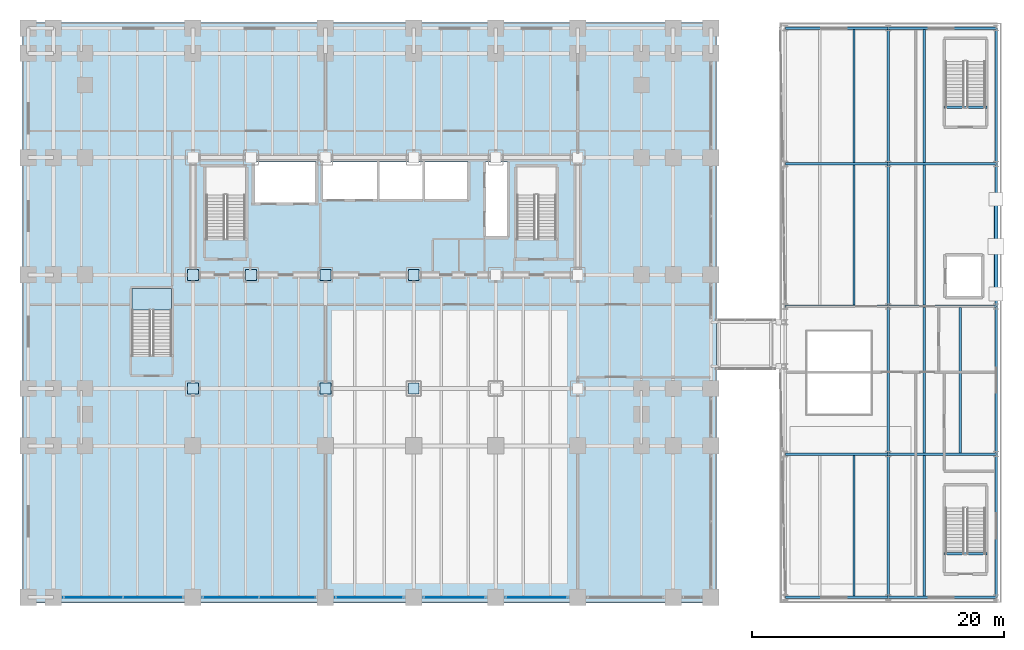
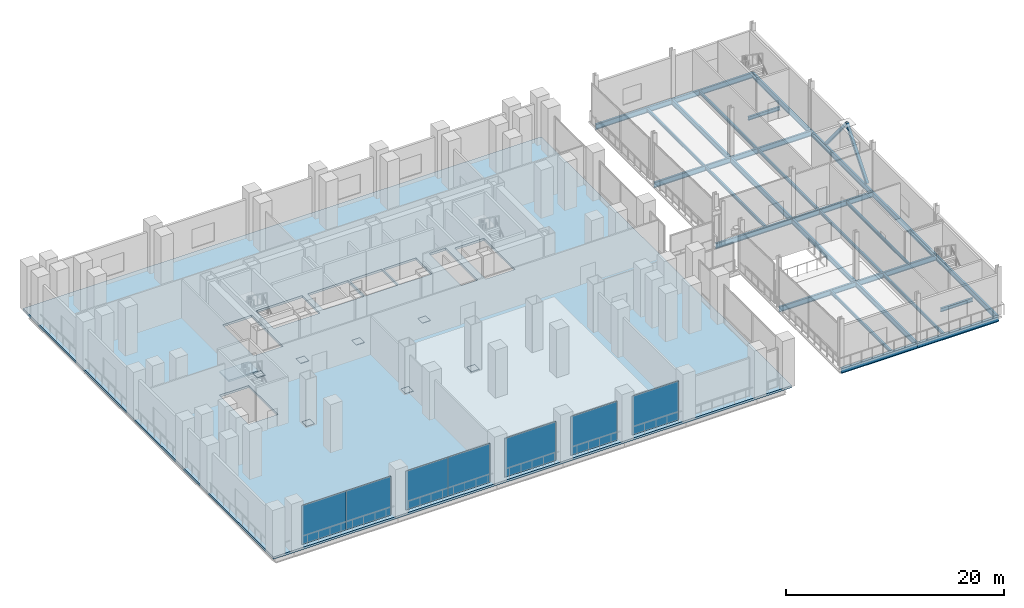
# One storey, part 20 of 31: 28 beams, 14 plates, 2 members, 2 slabs, 8 openings, 6 elements without a shape of their own.
"""IFC4 building model written with IfcOpenShell, lengths in metres."""

from ifc_helpers import new_model, si_unit, direction, frame, origin, origin_2d, place, context, subcontext, project, spatial, polyline, rectangle, hollow_rectangle, i_section, outline, extrude, material, layer, layer_set, material_profile, profile_set, type_object, element, aggregate, save


model = new_model("IFC4")

# Units and contexts
model_context = context("Model", 3, precision=1e-05, world=origin(), true_north=direction((0.0, 1.0)))
body_context = subcontext(model_context, "Body", "Model", "MODEL_VIEW")
ifc_project = project(units=[si_unit("LENGTHUNIT", "METRE"), si_unit("AREAUNIT", "SQUARE_METRE"), si_unit("VOLUMEUNIT", "CUBIC_METRE"), si_unit("PLANEANGLEUNIT", "RADIAN"), si_unit("MASSUNIT", "GRAM", prefix="KILO")], contexts=[model_context])

# Site, building, storey
site_placement = place(None, origin())
site = spatial("IfcSite", under=ifc_project, at=site_placement, CompositionType="ELEMENT")
building_placement = place(site_placement, origin())
building = spatial("IfcBuilding", under=site, at=building_placement, Name="Noeulbin Bourse Tower", CompositionType="ELEMENT")
storey_placement = place(building_placement, frame((0.0, 0.0, 11.199951171875)))
storey = spatial("IfcBuildingStorey", under=building, at=storey_placement, Name="L03", CompositionType="ELEMENT", Elevation=11.199951171875)

# Beams
ifc_material_1 = material(Name="Steel S355", Category="steel")
ifc_material_profile_1 = material_profile(ifc_material_1, i_section(OverallWidth=0.199951171875, OverallDepth=0.60009765625, WebThickness=0.010986328125, FlangeThickness=0.01708984375, FilletRadius=0.02197265625, at=origin_2d()), Name="H-600x200x11x17", Category="LoadBearing")
ifc_profile_set_1 = profile_set([ifc_material_profile_1], Name="Steel S355")
beam_type_1 = type_object("IfcBeamType", Name="BM-GRD-600", PredefinedType="USERDEFINED", material=ifc_profile_set_1)
beam_1_placement = place(storey_placement, frame((60.449951171875, 3.449951171875, -0.52001953125), z_axis=(1.0, 0.0, 0.0), x_axis=(0.0, 1.0, 0.0)))
element("IfcBeam", 1, at=beam_1_placement, inside=storey, type_object=beam_type_1, Name="Market Hall Girder EW L03-01", ObjectType="GIRDER", PredefinedType="USERDEFINED", context=body_context, shape_type="SweptSolid", body=[
    extrude(i_section(OverallWidth=0.199951171875, OverallDepth=0.60009765625, WebThickness=0.010986328125, FlangeThickness=0.01708984375, FilletRadius=0.02197265625, at=origin_2d()), origin(), (0.0, 0.0, 1.0), 8.150146484375),
])
beam_2_placement = place(storey_placement, frame((68.60009765625, 3.449951171875, -0.52001953125), z_axis=(1.0, 0.0, 0.0), x_axis=(0.0, 1.0, 0.0)))
element("IfcBeam", 2, at=beam_2_placement, inside=storey, type_object=beam_type_1, Name="Market Hall Girder EW L03-02", ObjectType="GIRDER", PredefinedType="USERDEFINED", context=body_context, shape_type="SweptSolid", body=[
    extrude(i_section(OverallWidth=0.199951171875, OverallDepth=0.60009765625, WebThickness=0.010986328125, FlangeThickness=0.01708984375, FilletRadius=0.02197265625, at=origin_2d()), origin(), (0.0, 0.0, 1.0), 8.5498046875),
])
beam_3_placement = place(storey_placement, frame((60.449951171875, 14.800048828125, -0.52001953125), z_axis=(1.0, 0.0, 0.0), x_axis=(0.0, 1.0, 0.0)))
element("IfcBeam", 3, at=beam_3_placement, inside=storey, type_object=beam_type_1, Name="Market Hall Girder EW L03-03", ObjectType="GIRDER", PredefinedType="USERDEFINED", context=body_context, shape_type="SweptSolid", body=[
    extrude(i_section(OverallWidth=0.199951171875, OverallDepth=0.60009765625, WebThickness=0.010986328125, FlangeThickness=0.01708984375, FilletRadius=0.02197265625, at=origin_2d()), origin(), (0.0, 0.0, 1.0), 8.150146484375),
])
beam_4_placement = place(storey_placement, frame((68.60009765625, 14.800048828125, -0.52001953125), z_axis=(1.0, 0.0, 0.0), x_axis=(0.0, 1.0, 0.0)))
element("IfcBeam", 4, at=beam_4_placement, inside=storey, type_object=beam_type_1, Name="Market Hall Girder EW L03-04", ObjectType="GIRDER", PredefinedType="USERDEFINED", context=body_context, shape_type="SweptSolid", body=[
    extrude(i_section(OverallWidth=0.199951171875, OverallDepth=0.60009765625, WebThickness=0.010986328125, FlangeThickness=0.01708984375, FilletRadius=0.02197265625, at=origin_2d()), origin(), (0.0, 0.0, 1.0), 8.5498046875),
])
beam_5_placement = place(storey_placement, frame((60.449951171875, 26.5, -0.52001953125), z_axis=(1.0, 0.0, 0.0), x_axis=(0.0, 1.0, 0.0)))
element("IfcBeam", 5, at=beam_5_placement, inside=storey, type_object=beam_type_1, Name="Market Hall Girder EW L03-05", ObjectType="GIRDER", PredefinedType="USERDEFINED", context=body_context, shape_type="SweptSolid", body=[
    extrude(i_section(OverallWidth=0.199951171875, OverallDepth=0.60009765625, WebThickness=0.010986328125, FlangeThickness=0.01708984375, FilletRadius=0.02197265625, at=origin_2d()), origin(), (0.0, 0.0, 1.0), 8.150146484375),
])
beam_6_placement = place(storey_placement, frame((68.60009765625, 26.5, -0.52001953125), z_axis=(1.0, 0.0, 0.0), x_axis=(0.0, 1.0, 0.0)))
element("IfcBeam", 6, at=beam_6_placement, inside=storey, type_object=beam_type_1, Name="Market Hall Girder EW L03-06", ObjectType="GIRDER", PredefinedType="USERDEFINED", context=body_context, shape_type="SweptSolid", body=[
    extrude(i_section(OverallWidth=0.199951171875, OverallDepth=0.60009765625, WebThickness=0.010986328125, FlangeThickness=0.01708984375, FilletRadius=0.02197265625, at=origin_2d()), origin(), (0.0, 0.0, 1.0), 8.5498046875),
])
beam_7_placement = place(storey_placement, frame((60.449951171875, 37.800048828125, -0.52001953125), z_axis=(1.0, 0.0, 0.0), x_axis=(0.0, 1.0, 0.0)))
element("IfcBeam", 7, at=beam_7_placement, inside=storey, type_object=beam_type_1, Name="Market Hall Girder EW L03-07", ObjectType="GIRDER", PredefinedType="USERDEFINED", context=body_context, shape_type="SweptSolid", body=[
    extrude(i_section(OverallWidth=0.199951171875, OverallDepth=0.60009765625, WebThickness=0.010986328125, FlangeThickness=0.01708984375, FilletRadius=0.02197265625, at=origin_2d()), origin(), (0.0, 0.0, 1.0), 8.150146484375),
])
beam_8_placement = place(storey_placement, frame((68.60009765625, 37.800048828125, -0.52001953125), z_axis=(1.0, 0.0, 0.0), x_axis=(0.0, 1.0, 0.0)))
element("IfcBeam", 8, at=beam_8_placement, inside=storey, type_object=beam_type_1, Name="Market Hall Girder EW L03-08", ObjectType="GIRDER", PredefinedType="USERDEFINED", context=body_context, shape_type="SweptSolid", body=[
    extrude(i_section(OverallWidth=0.199951171875, OverallDepth=0.60009765625, WebThickness=0.010986328125, FlangeThickness=0.01708984375, FilletRadius=0.02197265625, at=origin_2d()), origin(), (0.0, 0.0, 1.0), 8.5498046875),
])
beam_9_placement = place(storey_placement, frame((60.449951171875, 48.550048828125, -0.52001953125), z_axis=(1.0, 0.0, 0.0), x_axis=(0.0, 1.0, 0.0)))
element("IfcBeam", 9, at=beam_9_placement, inside=storey, type_object=beam_type_1, Name="Market Hall Girder EW L03-09", ObjectType="GIRDER", PredefinedType="USERDEFINED", context=body_context, shape_type="SweptSolid", body=[
    extrude(i_section(OverallWidth=0.199951171875, OverallDepth=0.60009765625, WebThickness=0.010986328125, FlangeThickness=0.01708984375, FilletRadius=0.02197265625, at=origin_2d()), origin(), (0.0, 0.0, 1.0), 8.150146484375),
])
beam_10_placement = place(storey_placement, frame((68.60009765625, 48.550048828125, -0.52001953125), z_axis=(1.0, 0.0, 0.0), x_axis=(0.0, 1.0, 0.0)))
element("IfcBeam", 10, at=beam_10_placement, inside=storey, type_object=beam_type_1, Name="Market Hall Girder EW L03-10", ObjectType="GIRDER", PredefinedType="USERDEFINED", context=body_context, shape_type="SweptSolid", body=[
    extrude(i_section(OverallWidth=0.199951171875, OverallDepth=0.60009765625, WebThickness=0.010986328125, FlangeThickness=0.01708984375, FilletRadius=0.02197265625, at=origin_2d()), origin(), (0.0, 0.0, 1.0), 8.5498046875),
])
beam_11_placement = place(storey_placement, frame((68.60009765625, 3.449951171875, -0.52001953125), z_axis=(0.0, 1.0, 0.0), x_axis=(-1.0, 0.0, 0.0)))
element("IfcBeam", 11, at=beam_11_placement, inside=storey, type_object=beam_type_1, Name="Market Hall Girder NS L03-15", ObjectType="GIRDER", PredefinedType="USERDEFINED", context=body_context, shape_type="SweptSolid", body=[
    extrude(i_section(OverallWidth=0.199951171875, OverallDepth=0.60009765625, WebThickness=0.010986328125, FlangeThickness=0.01708984375, FilletRadius=0.02197265625, at=origin_2d()), origin(), (0.0, 0.0, 1.0), 11.35009765625),
])
beam_12_placement = place(storey_placement, frame((68.60009765625, 14.800048828125, -0.52001953125), z_axis=(0.0, 1.0, 0.0), x_axis=(-1.0, 0.0, 0.0)))
element("IfcBeam", 12, at=beam_12_placement, inside=storey, type_object=beam_type_1, Name="Market Hall Girder NS L03-16", ObjectType="GIRDER", PredefinedType="USERDEFINED", context=body_context, shape_type="SweptSolid", body=[
    extrude(i_section(OverallWidth=0.199951171875, OverallDepth=0.60009765625, WebThickness=0.010986328125, FlangeThickness=0.01708984375, FilletRadius=0.02197265625, at=origin_2d()), origin(), (0.0, 0.0, 1.0), 11.699951171875),
])
beam_13_placement = place(storey_placement, frame((68.60009765625, 26.5, -0.52001953125), z_axis=(0.0, 1.0, 0.0), x_axis=(-1.0, 0.0, 0.0)))
element("IfcBeam", 13, at=beam_13_placement, inside=storey, type_object=beam_type_1, Name="Market Hall Girder NS L03-17", ObjectType="GIRDER", PredefinedType="USERDEFINED", context=body_context, shape_type="SweptSolid", body=[
    extrude(i_section(OverallWidth=0.199951171875, OverallDepth=0.60009765625, WebThickness=0.010986328125, FlangeThickness=0.01708984375, FilletRadius=0.02197265625, at=origin_2d()), origin(), (0.0, 0.0, 1.0), 11.300048828125),
])
beam_14_placement = place(storey_placement, frame((68.60009765625, 37.800048828125, -0.52001953125), z_axis=(0.0, 1.0, 0.0), x_axis=(-1.0, 0.0, 0.0)))
element("IfcBeam", 14, at=beam_14_placement, inside=storey, type_object=beam_type_1, Name="Market Hall Girder NS L03-18", ObjectType="GIRDER", PredefinedType="USERDEFINED", context=body_context, shape_type="SweptSolid", body=[
    extrude(i_section(OverallWidth=0.199951171875, OverallDepth=0.60009765625, WebThickness=0.010986328125, FlangeThickness=0.01708984375, FilletRadius=0.02197265625, at=origin_2d()), origin(), (0.0, 0.0, 1.0), 10.75),
])
beam_15_placement = place(storey_placement, frame((77.14990234375, 3.449951171875, -0.52001953125), z_axis=(0.0, 1.0, 0.0), x_axis=(-1.0, 0.0, 0.0)))
element("IfcBeam", 15, at=beam_15_placement, inside=storey, type_object=beam_type_1, Name="Market Hall Girder NS L03-19", ObjectType="GIRDER", PredefinedType="USERDEFINED", context=body_context, shape_type="SweptSolid", body=[
    extrude(i_section(OverallWidth=0.199951171875, OverallDepth=0.60009765625, WebThickness=0.010986328125, FlangeThickness=0.01708984375, FilletRadius=0.02197265625, at=origin_2d()), origin(), (0.0, 0.0, 1.0), 11.35009765625),
])
beam_16_placement = place(storey_placement, frame((77.14990234375, 14.800048828125, -0.52001953125), z_axis=(0.0, 1.0, 0.0), x_axis=(-1.0, 0.0, 0.0)))
element("IfcBeam", 16, at=beam_16_placement, inside=storey, type_object=beam_type_1, Name="Market Hall Girder NS L03-20", ObjectType="GIRDER", PredefinedType="USERDEFINED", context=body_context, shape_type="SweptSolid", body=[
    extrude(i_section(OverallWidth=0.199951171875, OverallDepth=0.60009765625, WebThickness=0.010986328125, FlangeThickness=0.01708984375, FilletRadius=0.02197265625, at=origin_2d()), origin(), (0.0, 0.0, 1.0), 11.699951171875),
])
beam_17_placement = place(storey_placement, frame((77.14990234375, 26.5, -0.52001953125), z_axis=(0.0, 1.0, 0.0), x_axis=(-1.0, 0.0, 0.0)))
element("IfcBeam", 17, at=beam_17_placement, inside=storey, type_object=beam_type_1, Name="Market Hall Girder NS L03-21", ObjectType="GIRDER", PredefinedType="USERDEFINED", context=body_context, shape_type="SweptSolid", body=[
    extrude(i_section(OverallWidth=0.199951171875, OverallDepth=0.60009765625, WebThickness=0.010986328125, FlangeThickness=0.01708984375, FilletRadius=0.02197265625, at=origin_2d()), origin(), (0.0, 0.0, 1.0), 11.300048828125),
])
beam_18_placement = place(storey_placement, frame((77.14990234375, 37.800048828125, -0.52001953125), z_axis=(0.0, 1.0, 0.0), x_axis=(-1.0, 0.0, 0.0)))
element("IfcBeam", 18, at=beam_18_placement, inside=storey, type_object=beam_type_1, Name="Market Hall Girder NS L03-22", ObjectType="GIRDER", PredefinedType="USERDEFINED", context=body_context, shape_type="SweptSolid", body=[
    extrude(i_section(OverallWidth=0.199951171875, OverallDepth=0.60009765625, WebThickness=0.010986328125, FlangeThickness=0.01708984375, FilletRadius=0.02197265625, at=origin_2d()), origin(), (0.0, 0.0, 1.0), 10.75),
])
ifc_material_profile_2 = material_profile(ifc_material_1, i_section(OverallWidth=0.175048828125, OverallDepth=0.35009765625, WebThickness=0.007080078125, FlangeThickness=0.010986328125, FilletRadius=0.013916015625, at=origin_2d()), Name="H-350x175x7x11", Category="LoadBearing")
ifc_profile_set_2 = profile_set([ifc_material_profile_2], Name="Steel S355")
beam_type_2 = type_object("IfcBeamType", Name="BM-JST-350", PredefinedType="JOIST", material=ifc_profile_set_2)
beam_19_placement = place(storey_placement, frame((65.88330078125, 3.550048828125, -0.39501953125), z_axis=(0.0, 1.0, 0.0), x_axis=(-1.0, 0.0, 0.0)))
element("IfcBeam", 19, at=beam_19_placement, inside=storey, type_object=beam_type_2, Name="Market Hall Secondary Joist L03-04", PredefinedType="JOIST", context=body_context, shape_type="SweptSolid", body=[
    extrude(i_section(OverallWidth=0.175048828125, OverallDepth=0.35009765625, WebThickness=0.007080078125, FlangeThickness=0.010986328125, FilletRadius=0.013916015625, at=origin_2d()), origin(), (0.0, 0.0, 1.0), 11.14990234375),
])
beam_20_placement = place(storey_placement, frame((65.88330078125, 26.60009765625, -0.39501953125), z_axis=(0.0, 1.0, 0.0), x_axis=(-1.0, 0.0, 0.0)))
element("IfcBeam", 20, at=beam_20_placement, inside=storey, type_object=beam_type_2, Name="Market Hall Secondary Joist L03-05", PredefinedType="JOIST", context=body_context, shape_type="SweptSolid", body=[
    extrude(i_section(OverallWidth=0.175048828125, OverallDepth=0.35009765625, WebThickness=0.007080078125, FlangeThickness=0.010986328125, FilletRadius=0.013916015625, at=origin_2d()), origin(), (0.0, 0.0, 1.0), 11.099853515625),
])
beam_21_placement = place(storey_placement, frame((65.88330078125, 37.89990234375, -0.39501953125), z_axis=(0.0, 1.0, 0.0), x_axis=(-1.0, 0.0, 0.0)))
element("IfcBeam", 21, at=beam_21_placement, inside=storey, type_object=beam_type_2, Name="Market Hall Secondary Joist L03-06", PredefinedType="JOIST", context=body_context, shape_type="SweptSolid", body=[
    extrude(i_section(OverallWidth=0.175048828125, OverallDepth=0.35009765625, WebThickness=0.007080078125, FlangeThickness=0.010986328125, FilletRadius=0.013916015625, at=origin_2d()), origin(), (0.0, 0.0, 1.0), 10.550048828125),
])
beam_22_placement = place(storey_placement, frame((71.449951171875, 3.550048828125, -0.39501953125), z_axis=(0.0, 1.0, 0.0), x_axis=(-1.0, 0.0, 0.0)))
element("IfcBeam", 22, at=beam_22_placement, inside=storey, type_object=beam_type_2, Name="Market Hall Secondary Joist L03-07", PredefinedType="JOIST", context=body_context, shape_type="SweptSolid", body=[
    extrude(i_section(OverallWidth=0.175048828125, OverallDepth=0.35009765625, WebThickness=0.007080078125, FlangeThickness=0.010986328125, FilletRadius=0.013916015625, at=origin_2d()), origin(), (0.0, 0.0, 1.0), 11.14990234375),
])
beam_23_placement = place(storey_placement, frame((71.449951171875, 14.89990234375, -0.39501953125), z_axis=(0.0, 1.0, 0.0), x_axis=(-1.0, 0.0, 0.0)))
element("IfcBeam", 23, at=beam_23_placement, inside=storey, type_object=beam_type_2, Name="Market Hall Secondary Joist L03-08", PredefinedType="JOIST", context=body_context, shape_type="SweptSolid", body=[
    extrude(i_section(OverallWidth=0.175048828125, OverallDepth=0.35009765625, WebThickness=0.007080078125, FlangeThickness=0.010986328125, FilletRadius=0.013916015625, at=origin_2d()), origin(), (0.0, 0.0, 1.0), 11.5),
])
beam_24_placement = place(storey_placement, frame((71.449951171875, 26.60009765625, -0.39501953125), z_axis=(0.0, 1.0, 0.0), x_axis=(-1.0, 0.0, 0.0)))
element("IfcBeam", 24, at=beam_24_placement, inside=storey, type_object=beam_type_2, Name="Market Hall Secondary Joist L03-09", PredefinedType="JOIST", context=body_context, shape_type="SweptSolid", body=[
    extrude(i_section(OverallWidth=0.175048828125, OverallDepth=0.35009765625, WebThickness=0.007080078125, FlangeThickness=0.010986328125, FilletRadius=0.013916015625, at=origin_2d()), origin(), (0.0, 0.0, 1.0), 11.099853515625),
])
beam_25_placement = place(storey_placement, frame((71.449951171875, 37.89990234375, -0.39501953125), z_axis=(0.0, 1.0, 0.0), x_axis=(-1.0, 0.0, 0.0)))
element("IfcBeam", 25, at=beam_25_placement, inside=storey, type_object=beam_type_2, Name="Market Hall Secondary Joist L03-10", PredefinedType="JOIST", context=body_context, shape_type="SweptSolid", body=[
    extrude(i_section(OverallWidth=0.175048828125, OverallDepth=0.35009765625, WebThickness=0.007080078125, FlangeThickness=0.010986328125, FilletRadius=0.013916015625, at=origin_2d()), origin(), (0.0, 0.0, 1.0), 10.550048828125),
])
beam_26_placement = place(storey_placement, frame((74.300048828125, 14.89990234375, -0.39501953125), z_axis=(0.0, 1.0, 0.0), x_axis=(-1.0, 0.0, 0.0)))
element("IfcBeam", 26, at=beam_26_placement, inside=storey, type_object=beam_type_2, Name="Market Hall Secondary Joist L03-11", PredefinedType="JOIST", context=body_context, shape_type="SweptSolid", body=[
    extrude(i_section(OverallWidth=0.175048828125, OverallDepth=0.35009765625, WebThickness=0.007080078125, FlangeThickness=0.010986328125, FilletRadius=0.013916015625, at=origin_2d()), origin(), (0.0, 0.0, 1.0), 11.5),
])
ifc_material_profile_3 = material_profile(ifc_material_1, i_section(OverallWidth=0.199951171875, OverallDepth=0.39990234375, WebThickness=0.008056640625, FlangeThickness=0.012939453125, FilletRadius=0.01611328125, at=origin_2d()), Name="H-400x200x8x13", Category="LoadBearing")
ifc_profile_set_3 = profile_set([ifc_material_profile_3], Name="Steel S355")
beam_type_3 = type_object("IfcBeamType", Name="BM-SEC-400", PredefinedType="BEAM", material=ifc_profile_set_3)
for number, where, z_axis, x_axis, name in (
    (27, (73.02001953125, 6.889892578125, -0.199951171875), (1.0, 0.0, 0.0), (0.0, 1.0, 0.0), "Stair Threshold Trimmer Beam MST1-L03"),
    (28, (73.02001953125, 42.2900390625, -0.199951171875), (1.0, 0.0, 0.0), (0.0, 1.0, 0.0), "Stair Threshold Trimmer Beam MST2-L03"),
):
    element("IfcBeam", number, at=place(storey_placement, frame(where, z_axis=z_axis, x_axis=x_axis)), inside=storey, type_object=beam_type_3, Name=name, PredefinedType="BEAM", context=body_context, shape_type="SweptSolid", body=[
        extrude(i_section(OverallWidth=0.199951171875, OverallDepth=0.39990234375, WebThickness=0.008056640625, FlangeThickness=0.012939453125, FilletRadius=0.01611328125, at=origin_2d()), origin(), (0.0, 0.0, 1.0), 3.39990234375),
    ])

# Members
ifc_material_profile_4 = material_profile(ifc_material_1, hollow_rectangle(XDim=0.300048828125, YDim=0.300048828125, WallThickness=0.011962890625, InnerFilletRadius=0.011962890625, OuterFilletRadius=0.02392578125, at=origin_2d()), Name="SHS-300x300x12", Category="LoadBearing")
ifc_profile_set_4 = profile_set([ifc_material_profile_4], Name="Steel S355")
member_type = type_object("IfcMemberType", Name="MEM-MKT-300", PredefinedType="BRACE", material=ifc_profile_set_4)
for number, where, z_axis, x_axis, name in (
    (29, (77.14990234375, 27.5, 0.010009765625), (0.0, 0.638506468811, 0.769616455961), (-1.0, 0.0, 0.0), "Market Hall Braced Frame Diagonal MB-L03-1"),
    (30, (77.14990234375, 31.25, 4.530029296875), (0.0, 0.638506468811, -0.769616455961), (-1.0, 0.0, 0.0), "Market Hall Braced Frame Diagonal MB-L03-2"),
):
    element("IfcMember", number, at=place(storey_placement, frame(where, z_axis=z_axis, x_axis=x_axis)), inside=storey, type_object=member_type, Name=name, PredefinedType="BRACE", context=body_context, shape_type="SweptSolid", body=[
        extrude(hollow_rectangle(XDim=0.300048828125, YDim=0.300048828125, WallThickness=0.011962890625, InnerFilletRadius=0.011962890625, OuterFilletRadius=0.02392578125, at=origin_2d()), origin(), (0.0, 0.0, 1.0), 5.873046875),
    ])

# Curtain wall, plates
ifc_material_2 = material(Name="Laminated Clear Low-E Glass", Category="glass")
curtain_wall_type = type_object("IfcCurtainWallType", Name="CW-SYS-1", PredefinedType="NOTDEFINED", material=ifc_material_2)
curtain_wall_1_placement = place(storey_placement, origin())
curtain_wall_1 = element("IfcCurtainWall", 31, at=curtain_wall_1_placement, inside=storey, type_object=curtain_wall_type, Name="Unitised Curtain Wall CW-L03-POD-S-S1", PredefinedType="NOTDEFINED")
ifc_layer_1 = layer(ifc_material_2, 0.035888671875)
ifc_layer_set_1 = layer_set([ifc_layer_1], Name="Laminated Clear Low-E Glass")
plate_type_1 = type_object("IfcPlateType", Name="CW-SYS-1-PNL", PredefinedType="CURTAIN_PANEL", material=ifc_layer_set_1)
plate_1_placement = place(storey_placement, frame((5.60498046875, 3.449951171875, 0.0), z_axis=(0.0, 0.0, 1.0), x_axis=(1.0, 0.0, 0.0)))
plate_1 = element("IfcPlate", 32, at=plate_1_placement, type_object=plate_type_1, Name="Glazed Curtain Panel CW-L03-POD-S-S1-P00", PredefinedType="CURTAIN_PANEL", context=body_context, shape_type="SweptSolid", body=[
    extrude(rectangle(XDim=4.739990234375, YDim=0.035888671875, at=origin_2d()), origin(), (0.0, 0.0, 1.0), 4.3701171875),
])
plate_2_placement = place(storey_placement, frame((10.344970703125, 3.449951171875, 0.0), z_axis=(0.0, 0.0, 1.0), x_axis=(1.0, 0.0, 0.0)))
plate_2 = element("IfcPlate", 33, at=plate_2_placement, type_object=plate_type_1, Name="Glazed Curtain Panel CW-L03-POD-S-S1-P01", PredefinedType="CURTAIN_PANEL", context=body_context, shape_type="SweptSolid", body=[
    extrude(rectangle(XDim=4.739990234375, YDim=0.035888671875, at=origin_2d()), origin(), (0.0, 0.0, 1.0), 4.3701171875),
])
aggregate(curtain_wall_1, [plate_1, plate_2])

curtain_wall_2_placement = place(storey_placement, origin())
curtain_wall_2 = element("IfcCurtainWall", 34, at=curtain_wall_2_placement, inside=storey, type_object=curtain_wall_type, Name="Unitised Curtain Wall CW-L03-POD-S-S2", PredefinedType="NOTDEFINED")
plate_3_placement = place(storey_placement, frame((16.517578125, 3.449951171875, 0.0), z_axis=(0.0, 0.0, 1.0), x_axis=(1.0, 0.0, 0.0)))
plate_3 = element("IfcPlate", 35, at=plate_3_placement, type_object=plate_type_1, Name="Glazed Curtain Panel CW-L03-POD-S-S2-P00", PredefinedType="CURTAIN_PANEL", context=body_context, shape_type="SweptSolid", body=[
    extrude(rectangle(XDim=4.465087890625, YDim=0.035888671875, at=origin_2d()), origin(), (0.0, 0.0, 1.0), 4.3701171875),
])
plate_4_placement = place(storey_placement, frame((20.982421875, 3.449951171875, 0.0), z_axis=(0.0, 0.0, 1.0), x_axis=(1.0, 0.0, 0.0)))
plate_4 = element("IfcPlate", 36, at=plate_4_placement, type_object=plate_type_1, Name="Glazed Curtain Panel CW-L03-POD-S-S2-P01", PredefinedType="CURTAIN_PANEL", context=body_context, shape_type="SweptSolid", body=[
    extrude(rectangle(XDim=4.465087890625, YDim=0.035888671875, at=origin_2d()), origin(), (0.0, 0.0, 1.0), 4.3701171875),
])
aggregate(curtain_wall_2, [plate_3, plate_4])

# Curtain wall, plate
curtain_wall_3_placement = place(storey_placement, origin())
curtain_wall_3 = element("IfcCurtainWall", 37, at=curtain_wall_3_placement, inside=storey, type_object=curtain_wall_type, Name="Unitised Curtain Wall CW-L03-POD-S-S3", PredefinedType="NOTDEFINED")
plate_5_placement = place(storey_placement, frame((27.5, 3.449951171875, 0.0), z_axis=(0.0, 0.0, 1.0), x_axis=(1.0, 0.0, 0.0)))
plate_5 = element("IfcPlate", 38, at=plate_5_placement, type_object=plate_type_1, Name="Glazed Curtain Panel CW-L03-POD-S-S3-P00", PredefinedType="CURTAIN_PANEL", context=body_context, shape_type="SweptSolid", body=[
    extrude(rectangle(XDim=5.429931640625, YDim=0.035888671875, at=origin_2d()), origin(), (0.0, 0.0, 1.0), 4.3701171875),
])
aggregate(curtain_wall_3, [plate_5])

curtain_wall_4_placement = place(storey_placement, origin())
curtain_wall_4 = element("IfcCurtainWall", 39, at=curtain_wall_4_placement, inside=storey, type_object=curtain_wall_type, Name="Unitised Curtain Wall CW-L03-POD-S-S4", PredefinedType="NOTDEFINED")
plate_6_placement = place(storey_placement, frame((34.25, 3.449951171875, 0.0), z_axis=(0.0, 0.0, 1.0), x_axis=(1.0, 0.0, 0.0)))
plate_6 = element("IfcPlate", 40, at=plate_6_placement, type_object=plate_type_1, Name="Glazed Curtain Panel CW-L03-POD-S-S4-P00", PredefinedType="CURTAIN_PANEL", context=body_context, shape_type="SweptSolid", body=[
    extrude(rectangle(XDim=4.929931640625, YDim=0.035888671875, at=origin_2d()), origin(), (0.0, 0.0, 1.0), 4.3701171875),
])
aggregate(curtain_wall_4, [plate_6])

curtain_wall_5_placement = place(storey_placement, origin())
curtain_wall_5 = element("IfcCurtainWall", 41, at=curtain_wall_5_placement, inside=storey, type_object=curtain_wall_type, Name="Unitised Curtain Wall CW-L03-POD-S-S5", PredefinedType="NOTDEFINED")
plate_7_placement = place(storey_placement, frame((40.75, 3.449951171875, 0.0), z_axis=(0.0, 0.0, 1.0), x_axis=(1.0, 0.0, 0.0)))
plate_7 = element("IfcPlate", 42, at=plate_7_placement, type_object=plate_type_1, Name="Glazed Curtain Panel CW-L03-POD-S-S5-P00", PredefinedType="CURTAIN_PANEL", context=body_context, shape_type="SweptSolid", body=[
    extrude(rectangle(XDim=4.929931640625, YDim=0.035888671875, at=origin_2d()), origin(), (0.0, 0.0, 1.0), 4.3701171875),
])
aggregate(curtain_wall_5, [plate_7])

# Plates
ifc_layer_2 = layer(ifc_material_1, 0.030029296875)
ifc_layer_set_2 = layer_set([ifc_layer_2], Name="Steel S355")
plate_type_2 = type_object("IfcPlateType", Name="PLT-BN1", PredefinedType="USERDEFINED", material=ifc_layer_set_2)
for number, where, z_axis, x_axis, name in (
    (43, (13.5, 29.0, 0.0048828125), (0.0, 0.0, 1.0), (1.0, 0.0, 0.0), "Mega-Column Splice Plate BN1-L03-01"),
    (44, (18.10009765625, 29.0, 0.0048828125), (0.0, 0.0, 1.0), (1.0, 0.0, 0.0), "Mega-Column Splice Plate BN1-L03-03"),
    (45, (24.0, 29.0, 0.0048828125), (0.0, 0.0, 1.0), (1.0, 0.0, 0.0), "Mega-Column Splice Plate BN1-L03-05"),
    (46, (31.0, 29.0, 0.0048828125), (0.0, 0.0, 1.0), (1.0, 0.0, 0.0), "Mega-Column Splice Plate BN1-L03-07"),
    (47, (13.5, 20.0, 0.0048828125), (0.0, 0.0, 1.0), (1.0, 0.0, 0.0), "Mega-Column Splice Plate BN1-L03-13"),
    (48, (24.0, 20.0, 0.0048828125), (0.0, 0.0, 1.0), (1.0, 0.0, 0.0), "Mega-Column Splice Plate BN1-L03-14"),
    (49, (31.0, 20.0, 0.0048828125), (0.0, 0.0, 1.0), (1.0, 0.0, 0.0), "Mega-Column Splice Plate BN1-L03-15"),
):
    element("IfcPlate", number, at=place(storey_placement, frame(where, z_axis=z_axis, x_axis=x_axis)), inside=storey, type_object=plate_type_2, Name=name, ObjectType="SPLICE PLATE", PredefinedType="USERDEFINED", context=body_context, shape_type="SweptSolid", body=[
        extrude(rectangle(XDim=0.85009765625, YDim=0.85009765625, at=origin_2d()), origin(), (0.0, 0.0, 1.0), 0.030029296875),
    ])

# Stair, slab
ifc_material_3 = material(Name="Concrete C40/50", Category="concrete")
stair_type = type_object("IfcStairType", Name="STR-AUX-1620", PredefinedType="HALF_TURN_STAIR", material=ifc_material_3)
stair_placement = place(storey_placement, origin())
stair = element("IfcStair", 50, at=stair_placement, inside=storey, type_object=stair_type, Name="L03 ST-P1", PredefinedType="HALF_TURN_STAIR")
ifc_layer_3 = layer(ifc_material_3, 0.199951171875)
ifc_layer_set_3 = layer_set([ifc_layer_3], Name="Concrete C40/50")
slab_type_1 = type_object("IfcSlabType", Name="SLB-LND-200", PredefinedType="LANDING", material=ifc_layer_set_3)
slab_1_placement = place(storey_placement, frame((0.0, 0.0, 2.5)))
slab_1 = element("IfcSlab", 51, at=slab_1_placement, type_object=slab_type_1, Name="ST-P1 landing 1", PredefinedType="LANDING", context=body_context, shape_type="SweptSolid", body=[
    extrude(outline(polyline([(11.800048828125, 26.219970703125), (11.800048828125, 27.93994140625), (8.679931640625, 27.93994140625), (8.679931640625, 26.219970703125), (11.800048828125, 26.219970703125)])), origin(), (0.0, 0.0, 1.0), 0.199951171875),
])
aggregate(stair, [slab_1])

# Slab, openings
ifc_layer_4 = layer(ifc_material_3, 0.25)
ifc_layer_set_4 = layer_set([ifc_layer_4], Name="Concrete C40/50")
slab_type_2 = type_object("IfcSlabType", Name="SLB-POD-250", PredefinedType="FLOOR", material=ifc_layer_set_4)
slab_2_placement = place(storey_placement, frame((0.0, 0.0, -0.25)))
slab_2 = element("IfcSlab", 52, at=slab_2_placement, inside=storey, type_object=slab_type_2, Name="Exchange Podium Floor Slab L03", PredefinedType="FLOOR", context=body_context, shape_type="SweptSolid", body=[
    extrude(outline(polyline([(0.0, 3.0), (55.0, 3.0), (55.0, 49.0), (0.0, 49.0), (0.0, 3.0)]), holes=[polyline([(17.64990234375, 31.81005859375), (17.64990234375, 37.5439453125), (14.550048828125, 37.5439453125), (14.550048828125, 31.81005859375), (17.64990234375, 31.81005859375)]), polyline([(42.280029296875, 31.81005859375), (42.280029296875, 37.5439453125), (39.179931640625, 37.5439453125), (39.179931640625, 31.81005859375), (42.280029296875, 31.81005859375)]), polyline([(11.800048828125, 22.580078125), (11.800048828125, 27.93994140625), (8.679931640625, 27.93994140625), (8.679931640625, 22.580078125), (11.800048828125, 22.580078125)]), polyline([(18.35009765625, 34.699951171875), (23.25, 34.699951171875), (23.25, 37.949951171875), (18.35009765625, 37.949951171875), (18.35009765625, 34.699951171875)]), polyline([(36.699951171875, 32.050048828125), (38.449951171875, 32.050048828125), (38.449951171875, 37.949951171875), (36.699951171875, 37.949951171875), (36.699951171875, 32.050048828125)]), polyline([(23.800048828125, 35.0), (28.10009765625, 35.0), (28.10009765625, 37.949951171875), (23.800048828125, 37.949951171875), (23.800048828125, 35.0)]), polyline([(28.25, 35.0), (31.699951171875, 35.0), (31.699951171875, 37.949951171875), (28.25, 37.949951171875), (28.25, 35.0)]), polyline([(31.85009765625, 35.0), (35.300048828125, 35.0), (35.300048828125, 37.949951171875), (31.85009765625, 37.949951171875), (31.85009765625, 35.0)])]), origin(), (0.0, 0.0, 1.0), 0.25),
])
opening_1_placement = place(slab_2_placement, frame((0.0, 0.0, -0.010009765625)))
element("IfcOpeningElement", 53, at=opening_1_placement, cuts=slab_2, Name="Slab Shaft Opening SLB-L03-POD-1", PredefinedType="OPENING", context=body_context, shape_type="SweptSolid", body=[
    extrude(outline(polyline([(17.64990234375, 31.81005859375), (17.64990234375, 37.5439453125), (14.550048828125, 37.5439453125), (14.550048828125, 31.81005859375), (17.64990234375, 31.81005859375)])), origin(), (0.0, 0.0, 1.0), 0.27001953125),
])
opening_2_placement = place(slab_2_placement, frame((0.0, 0.0, -0.010009765625)))
element("IfcOpeningElement", 54, at=opening_2_placement, cuts=slab_2, Name="Slab Shaft Opening SLB-L03-POD-2", PredefinedType="OPENING", context=body_context, shape_type="SweptSolid", body=[
    extrude(outline(polyline([(42.280029296875, 31.81005859375), (42.280029296875, 37.5439453125), (39.179931640625, 37.5439453125), (39.179931640625, 31.81005859375), (42.280029296875, 31.81005859375)])), origin(), (0.0, 0.0, 1.0), 0.27001953125),
])
opening_3_placement = place(slab_2_placement, frame((0.0, 0.0, -0.010009765625)))
element("IfcOpeningElement", 55, at=opening_3_placement, cuts=slab_2, Name="Slab Shaft Opening SLB-L03-POD-3", PredefinedType="OPENING", context=body_context, shape_type="SweptSolid", body=[
    extrude(outline(polyline([(11.800048828125, 22.580078125), (11.800048828125, 27.93994140625), (8.679931640625, 27.93994140625), (8.679931640625, 22.580078125), (11.800048828125, 22.580078125)])), origin(), (0.0, 0.0, 1.0), 0.27001953125),
])
opening_4_placement = place(slab_2_placement, frame((0.0, 0.0, -0.010009765625)))
element("IfcOpeningElement", 56, at=opening_4_placement, cuts=slab_2, Name="Slab Shaft Opening SLB-L03-POD-4", PredefinedType="OPENING", context=body_context, shape_type="SweptSolid", body=[
    extrude(outline(polyline([(18.35009765625, 34.699951171875), (23.25, 34.699951171875), (23.25, 37.949951171875), (18.35009765625, 37.949951171875), (18.35009765625, 34.699951171875)])), origin(), (0.0, 0.0, 1.0), 0.27001953125),
])
opening_5_placement = place(slab_2_placement, frame((0.0, 0.0, -0.010009765625)))
element("IfcOpeningElement", 57, at=opening_5_placement, cuts=slab_2, Name="Slab Shaft Opening SLB-L03-POD-5", PredefinedType="OPENING", context=body_context, shape_type="SweptSolid", body=[
    extrude(outline(polyline([(36.699951171875, 32.050048828125), (38.449951171875, 32.050048828125), (38.449951171875, 37.949951171875), (36.699951171875, 37.949951171875), (36.699951171875, 32.050048828125)])), origin(), (0.0, 0.0, 1.0), 0.27001953125),
])
opening_6_placement = place(slab_2_placement, frame((0.0, 0.0, -0.010009765625)))
element("IfcOpeningElement", 58, at=opening_6_placement, cuts=slab_2, Name="Slab Shaft Opening SLB-L03-POD-6", PredefinedType="OPENING", context=body_context, shape_type="SweptSolid", body=[
    extrude(outline(polyline([(23.800048828125, 35.0), (28.10009765625, 35.0), (28.10009765625, 37.949951171875), (23.800048828125, 37.949951171875), (23.800048828125, 35.0)])), origin(), (0.0, 0.0, 1.0), 0.27001953125),
])
opening_7_placement = place(slab_2_placement, frame((0.0, 0.0, -0.010009765625)))
element("IfcOpeningElement", 59, at=opening_7_placement, cuts=slab_2, Name="Slab Shaft Opening SLB-L03-POD-7", PredefinedType="OPENING", context=body_context, shape_type="SweptSolid", body=[
    extrude(outline(polyline([(28.25, 35.0), (31.699951171875, 35.0), (31.699951171875, 37.949951171875), (28.25, 37.949951171875), (28.25, 35.0)])), origin(), (0.0, 0.0, 1.0), 0.27001953125),
])
opening_8_placement = place(slab_2_placement, frame((0.0, 0.0, -0.010009765625)))
element("IfcOpeningElement", 60, at=opening_8_placement, cuts=slab_2, Name="Slab Shaft Opening SLB-L03-POD-8", PredefinedType="OPENING", context=body_context, shape_type="SweptSolid", body=[
    extrude(outline(polyline([(31.85009765625, 35.0), (35.300048828125, 35.0), (35.300048828125, 37.949951171875), (31.85009765625, 37.949951171875), (31.85009765625, 35.0)])), origin(), (0.0, 0.0, 1.0), 0.27001953125),
])

save(model, "model.ifc")
